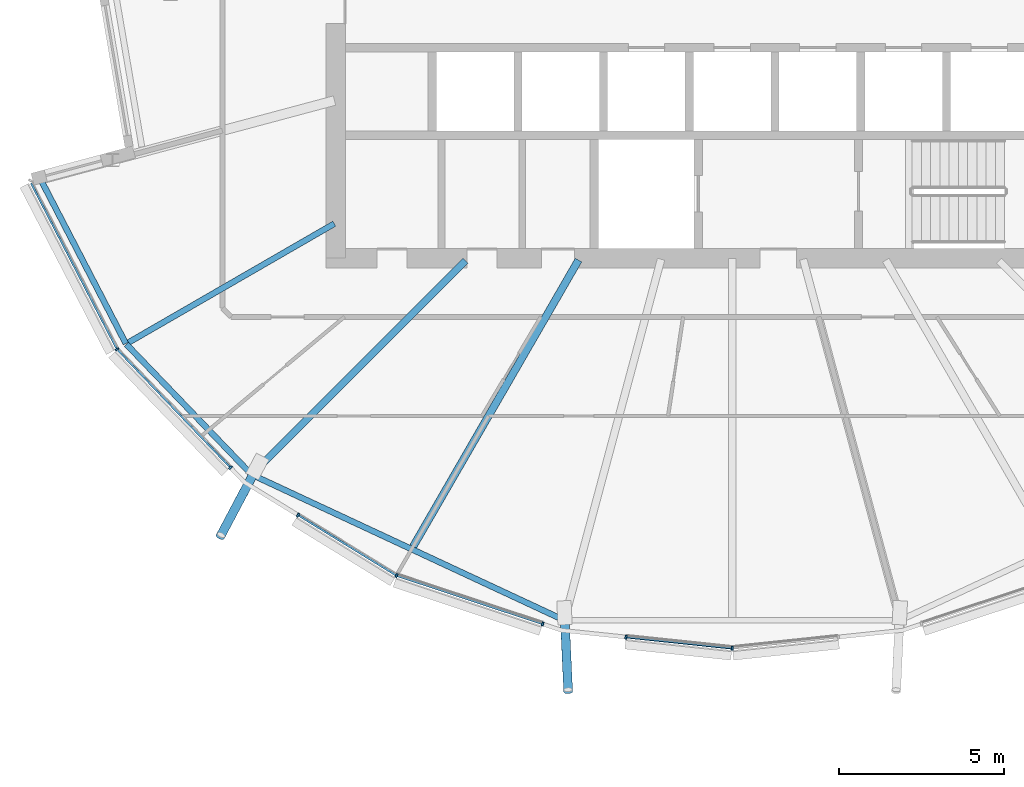
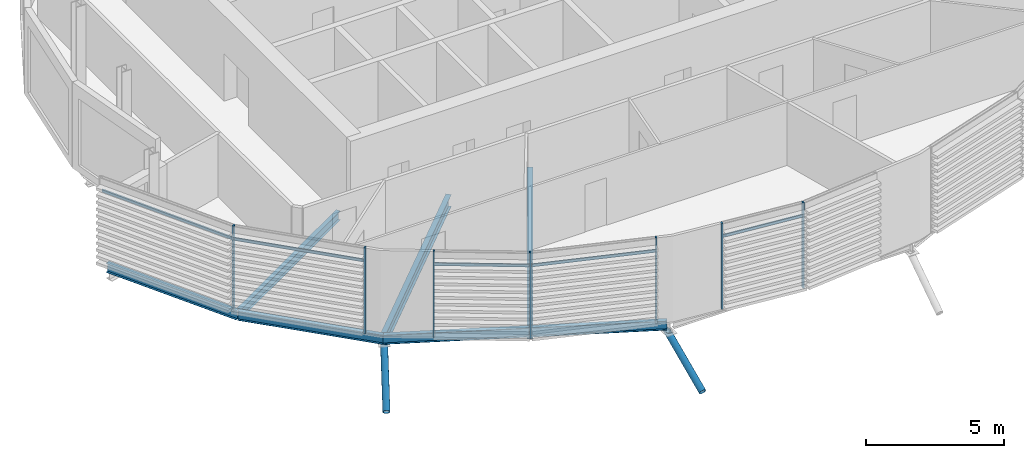
# One storey, part 3 of 36: 14 members, 6 beams, 1 element without a shape of its own.
"""IFC4 building model written with IfcOpenShell, lengths in metres."""

from ifc_helpers import new_model, si_unit, direction, frame, origin, origin_2d, place, context, subcontext, project, spatial, rectangle, hollow_circle, i_section, extrude, clip, halfspace, material, material_profile, profile_set, type_object, element, aggregate, save


model = new_model("IFC4")

# Units and contexts
model_context = context("Model", 3, precision=1e-05, world=origin(), true_north=direction((0.0, 1.0)))
body_context = subcontext(model_context, "Body", "Model", "MODEL_VIEW")
ifc_project = project(units=[si_unit("LENGTHUNIT", "METRE"), si_unit("AREAUNIT", "SQUARE_METRE"), si_unit("VOLUMEUNIT", "CUBIC_METRE"), si_unit("PLANEANGLEUNIT", "RADIAN"), si_unit("MASSUNIT", "GRAM", prefix="KILO")], contexts=[model_context])

# Site, building, storey
site_placement = place(None, origin())
site = spatial("IfcSite", under=ifc_project, at=site_placement, CompositionType="ELEMENT")
building_placement = place(site_placement, origin())
building = spatial("IfcBuilding", under=site, at=building_placement, Name="Rimbun Link Towers", CompositionType="ELEMENT")
storey_placement = place(building_placement, frame((0.0, 0.0, 174.10009765625)))
storey = spatial("IfcBuildingStorey", under=building, at=storey_placement, Name="L42", CompositionType="ELEMENT", Elevation=174.10009765625)

# Curtain wall, members
ifc_material_1 = material(Name="Aluminium 6063-T6 and low-iron glass", Category="aluminium")
curtain_wall_type = type_object("IfcCurtainWallType", Name="CW1-Z3 unitised vision wall (zone 3)", PredefinedType="NOTDEFINED", material=ifc_material_1)
curtain_wall_placement = place(storey_placement, origin())
curtain_wall = element("IfcCurtainWall", 1, at=curtain_wall_placement, inside=storey, type_object=curtain_wall_type, Name="CW1 L42 T1", PredefinedType="NOTDEFINED")
ifc_material_2 = material(Name="Aluminium 6063-T6", Category="aluminium")
ifc_material_profile_1 = material_profile(ifc_material_2, rectangle(XDim=0.1201171875, YDim=0.06005859375, at=origin_2d()), Name="MULLION 60X120")
ifc_profile_set_1 = profile_set([ifc_material_profile_1], Name="Aluminium 6063-T6")
member_type_1 = type_object("IfcMemberType", Name="CW1 mullion 60X120", PredefinedType="MULLION", material=ifc_profile_set_1)
member_1_placement = place(storey_placement, frame((-50.372314453125, -10.75830078125, 0.0), z_axis=(0.0, 0.0, 1.0), x_axis=(-0.813350034024, -0.581774631754, 0.0)))
member_1 = element("IfcMember", 2, at=member_1_placement, type_object=member_type_1, Name="CW1 mullion", PredefinedType="MULLION", context=body_context, shape_type="SweptSolid", body=[
    extrude(rectangle(XDim=0.1201171875, YDim=0.06005859375, at=origin_2d()), origin(), (0.0, 0.0, 1.0), 3.7998046875),
])
member_2_placement = place(storey_placement, frame((-46.93994140625, -14.339599609375, 0.0), z_axis=(0.0, 0.0, 1.0), x_axis=(-0.721853979368, -0.692045397695, 0.0)))
member_2 = element("IfcMember", 3, at=member_2_placement, type_object=member_type_1, Name="CW1 mullion", PredefinedType="MULLION", context=body_context, shape_type="SweptSolid", body=[
    extrude(rectangle(XDim=0.1201171875, YDim=0.06005859375, at=origin_2d()), origin(), (0.0, 0.0, 1.0), 3.7998046875),
])
member_3_placement = place(storey_placement, frame((-41.909912109375, -17.60791015625, 0.0), z_axis=(0.0, 0.0, 1.0), x_axis=(-0.421696857655, -0.906736874867, 0.0)))
member_3 = element("IfcMember", 4, at=member_3_placement, type_object=member_type_1, Name="CW1 mullion", PredefinedType="MULLION", context=body_context, shape_type="SweptSolid", body=[
    extrude(rectangle(XDim=0.1201171875, YDim=0.06005859375, at=origin_2d()), origin(), (0.0, 0.0, 1.0), 3.7998046875),
])
member_4_placement = place(storey_placement, frame((-44.8935546875, -15.776611328125, 0.0), z_axis=(0.0, 0.0, 1.0), x_axis=(-0.523231382934, -0.852190659368, 0.0)))
member_4 = element("IfcMember", 5, at=member_4_placement, type_object=member_type_1, Name="CW1 mullion", PredefinedType="MULLION", context=body_context, shape_type="SweptSolid", body=[
    extrude(rectangle(XDim=0.1201171875, YDim=0.06005859375, at=origin_2d()), origin(), (0.0, 0.0, 1.0), 3.7998046875),
])
member_5_placement = place(storey_placement, frame((-37.48486328125, -19.07470703125, 0.0), z_axis=(0.0, 0.0, 1.0), x_axis=(-0.314560279601, -0.949237499521, 0.0)))
member_5 = element("IfcMember", 6, at=member_5_placement, type_object=member_type_1, Name="CW1 mullion", PredefinedType="MULLION", context=body_context, shape_type="SweptSolid", body=[
    extrude(rectangle(XDim=0.1201171875, YDim=0.06005859375, at=origin_2d()), origin(), (0.0, 0.0, 1.0), 3.7998046875),
])
member_6_placement = place(storey_placement, frame((-31.75, -19.80859375, 0.0), z_axis=(0.0, 0.0, 1.0), x_axis=(0.0, -1.0, 0.0)))
member_6 = element("IfcMember", 7, at=member_6_placement, type_object=member_type_1, Name="CW1 mullion", PredefinedType="MULLION", context=body_context, shape_type="SweptSolid", body=[
    extrude(rectangle(XDim=0.1201171875, YDim=0.06005859375, at=origin_2d()), origin(), (0.0, 0.0, 1.0), 3.7998046875),
])
member_7_placement = place(storey_placement, frame((-34.96337890625, -19.470458984375, 0.0), z_axis=(0.0, 0.0, 1.0), x_axis=(-0.104737092036, -0.994499945476, 0.0)))
member_7 = element("IfcMember", 8, at=member_7_placement, type_object=member_type_1, Name="CW1 mullion", PredefinedType="MULLION", context=body_context, shape_type="SweptSolid", body=[
    extrude(rectangle(XDim=0.1201171875, YDim=0.06005859375, at=origin_2d()), origin(), (0.0, 0.0, 1.0), 3.7998046875),
])
ifc_material_3 = material(Name="Aluminium 6063-T6", Category="aluminium")
ifc_material_profile_2 = material_profile(ifc_material_3, rectangle(XDim=0.06005859375, YDim=0.1201171875, at=origin_2d()), Name="TRANSOM 60X120")
ifc_profile_set_2 = profile_set([ifc_material_profile_2], Name="Aluminium 6063-T6")
member_type_2 = type_object("IfcMemberType", Name="CW1 transom 60X120", PredefinedType="USERDEFINED", material=ifc_profile_set_2)
member_8_placement = place(storey_placement, frame((-50.388916015625, -10.723388671875, 3.199951171875), z_axis=(-0.459571750769, 0.888140645335, 0.0), x_axis=(-0.888140645335, -0.459571750769, 0.0)))
member_8 = element("IfcMember", 9, at=member_8_placement, type_object=member_type_2, Name="CW1 transom", ObjectType="TRANSOM", PredefinedType="USERDEFINED", context=body_context, shape_type="SweptSolid", body=[
    extrude(rectangle(XDim=0.06005859375, YDim=0.1201171875, at=origin_2d()), origin(), (0.0, 0.0, 1.0), 5.62255859375),
])
member_9_placement = place(storey_placement, frame((-46.959228515625, -14.316650390625, 3.199951171875), z_axis=(-0.692052764793, 0.721846916418, 0.0), x_axis=(-0.721846916418, -0.692052764793, 0.0)))
member_9 = element("IfcMember", 10, at=member_9_placement, type_object=member_type_2, Name="CW1 transom", ObjectType="TRANSOM", PredefinedType="USERDEFINED", context=body_context, shape_type="SweptSolid", body=[
    extrude(rectangle(XDim=0.06005859375, YDim=0.1201171875, at=origin_2d()), origin(), (0.0, 0.0, 1.0), 4.891845703125),
])
member_10_placement = place(storey_placement, frame((-41.9404296875, -17.58740234375, 3.199951171875), z_axis=(-0.852185129283, 0.523240389716, 0.0), x_axis=(-0.523240389716, -0.852185129283, 0.0)))
member_10 = element("IfcMember", 11, at=member_10_placement, type_object=member_type_2, Name="CW1 transom", ObjectType="TRANSOM", PredefinedType="USERDEFINED", context=body_context, shape_type="SweptSolid", body=[
    extrude(rectangle(XDim=0.06005859375, YDim=0.1201171875, at=origin_2d()), origin(), (0.0, 0.0, 1.0), 3.43408203125),
])
member_11_placement = place(storey_placement, frame((-37.5126953125, -19.0634765625, 3.199951171875), z_axis=(-0.949239729091, 0.314553551426, 0.0), x_axis=(-0.314553551426, -0.949239729091, 0.0)))
member_11 = element("IfcMember", 12, at=member_11_placement, type_object=member_type_2, Name="CW1 transom", ObjectType="TRANSOM", PredefinedType="USERDEFINED", context=body_context, shape_type="SweptSolid", body=[
    extrude(rectangle(XDim=0.06005859375, YDim=0.1201171875, at=origin_2d()), origin(), (0.0, 0.0, 1.0), 4.5947265625),
])
member_12_placement = place(storey_placement, frame((-31.785888671875, -19.80322265625, 3.199951171875), z_axis=(-0.994497841897, 0.104757064016, 0.0), x_axis=(-0.104757064016, -0.994497841897, 0.0)))
member_12 = element("IfcMember", 13, at=member_12_placement, type_object=member_type_2, Name="CW1 transom", ObjectType="TRANSOM", PredefinedType="USERDEFINED", context=body_context, shape_type="SweptSolid", body=[
    extrude(rectangle(XDim=0.06005859375, YDim=0.1201171875, at=origin_2d()), origin(), (0.0, 0.0, 1.0), 3.164794921875),
])
aggregate(curtain_wall, [member_1, member_2, member_3, member_4, member_5, member_6, member_7, member_8, member_9, member_10, member_11, member_12])

# Members
ifc_material_4 = material(Name="Steel S355J2H", Category="steel")
ifc_material_profile_3 = material_profile(ifc_material_4, hollow_circle(Radius=0.136474609375, WallThickness=0.012451171875, at=origin_2d()), Name="CHS 273x12.5")
ifc_profile_set_3 = profile_set([ifc_material_profile_3], Name="Steel S355J2H")
member_type_3 = type_object("IfcMemberType", Name="Floor edge link CHS 273x12.5", PredefinedType="BRACE", material=ifc_profile_set_3)
member_13_placement = place(storey_placement, frame((-46.20068359375, -14.45068359375, -0.800048828125), z_axis=(-0.402412284177, -0.759393945024, -0.511258437392), x_axis=(0.883604917581, -0.468233221405, 0.0)))
element("IfcMember", 14, at=member_13_placement, inside=storey, type_object=member_type_3, Name="Floor edge link T1 L42 15", PredefinedType="BRACE", context=body_context, shape_type="Clipping", body=[
    clip(extrude(hollow_circle(Radius=0.136474609375, WallThickness=0.012451171875, at=origin_2d()), frame((0.0, 0.0, -0.478515625)), (0.0, 0.0, 1.0), 3.0849609375), halfspace(frame((0.0, 0.0, -0.224609375), z_axis=(0.0, 0.859427024357, -0.511258437392)), False)),
])
member_14_placement = place(storey_placement, frame((-36.81787109375, -18.913818359375, -0.8720703125), z_axis=(0.040919470734, -0.875793032388, -0.480949229478), x_axis=(0.998910275526, 0.046671848569, 0.0)))
element("IfcMember", 15, at=member_14_placement, inside=storey, type_object=member_type_3, Name="Floor edge link T1 L42 17", PredefinedType="BRACE", context=body_context, shape_type="Clipping", body=[
    clip(extrude(hollow_circle(Radius=0.136474609375, WallThickness=0.012451171875, at=origin_2d()), frame((0.0, 0.0, -0.518310546875)), (0.0, 0.0, 1.0), 3.0361328125), halfspace(frame((0.0, 0.0, -0.244140625), z_axis=(0.0, 0.876748446628, -0.480949229478)), False)),
])

# Beams
ifc_material_5 = material(Name="Steel S355J2", Category="steel")
ifc_material_profile_4 = material_profile(ifc_material_5, i_section(OverallWidth=0.177978515625, OverallDepth=0.406494140625, WebThickness=0.0078125, FlangeThickness=0.0126953125, at=origin_2d()), Name="UB 406x178x60")
ifc_profile_set_4 = profile_set([ifc_material_profile_4], Name="Steel S355J2")
beam_type_1 = type_object("IfcBeamType", Name="UB 406x178x60", PredefinedType="BEAM", material=ifc_profile_set_4)
beam_1_placement = place(storey_placement, frame((-43.79541015625, -6.954345703125, -0.353271484375), z_axis=(-0.86602387423, -0.500002649256, 0.0), x_axis=(0.500002649256, -0.86602387423, 0.0)))
element("IfcBeam", 16, at=beam_1_placement, inside=storey, type_object=beam_type_1, Name="Radial beam T1 L42 14", PredefinedType="BEAM", context=body_context, shape_type="SweptSolid", body=[
    extrude(i_section(OverallWidth=0.177978515625, OverallDepth=0.406494140625, WebThickness=0.0078125, FlangeThickness=0.0126953125, at=origin_2d()), origin(), (0.0, 0.0, 1.0), 7.1904296875),
])
beam_2_placement = place(storey_placement, frame((-52.6875, -5.611083984375, -0.353271484375), z_axis=(0.460674637591, -0.887569083666, 0.0), x_axis=(0.887569083666, 0.460674637591, 0.0)))
element("IfcBeam", 17, at=beam_2_placement, inside=storey, type_object=beam_type_1, Name="Edge beam T1 L42 13", PredefinedType="BEAM", context=body_context, shape_type="SweptSolid", body=[
    extrude(i_section(OverallWidth=0.177978515625, OverallDepth=0.406494140625, WebThickness=0.0078125, FlangeThickness=0.0126953125, at=origin_2d()), origin(), (0.0, 0.0, 1.0), 5.60107421875),
])
beam_3_placement = place(storey_placement, frame((-50.091064453125, -10.604736328125, -0.353271484375), z_axis=(0.692954402741, -0.720981411495, 0.0), x_axis=(0.720981411495, 0.692954402741, 0.0)))
element("IfcBeam", 18, at=beam_3_placement, inside=storey, type_object=beam_type_1, Name="Edge beam T1 L42 14", PredefinedType="BEAM", context=body_context, shape_type="SweptSolid", body=[
    extrude(i_section(OverallWidth=0.177978515625, OverallDepth=0.406494140625, WebThickness=0.0078125, FlangeThickness=0.0126953125, at=origin_2d()), origin(), (0.0, 0.0, 1.0), 5.470458984375),
])
beam_4_placement = place(storey_placement, frame((-46.298583984375, -14.550048828125, -0.353271484375), z_axis=(0.906411873075, -0.422394976709, 0.0), x_axis=(0.422394976709, 0.906411873075, 0.0)))
element("IfcBeam", 19, at=beam_4_placement, inside=storey, type_object=beam_type_1, Name="Edge beam T1 L42 15-17", PredefinedType="BEAM", context=body_context, shape_type="SweptSolid", body=[
    extrude(i_section(OverallWidth=0.177978515625, OverallDepth=0.406494140625, WebThickness=0.0078125, FlangeThickness=0.0126953125, at=origin_2d()), origin(), (0.0, 0.0, 1.0), 10.32861328125),
])
ifc_material_6 = material(Name="Steel S355J2", Category="steel")
ifc_material_profile_5 = material_profile(ifc_material_6, i_section(OverallWidth=0.209228515625, OverallDepth=0.533203125, WebThickness=0.010009765625, FlangeThickness=0.015625, at=origin_2d()), Name="UB 533x210x92")
ifc_profile_set_5 = profile_set([ifc_material_profile_5], Name="Steel S355J2")
beam_type_2 = type_object("IfcBeamType", Name="UB 533x210x92", PredefinedType="BEAM", material=ifc_profile_set_5)
beam_5_placement = place(storey_placement, frame((-39.82470703125, -8.07470703125, -0.416748046875), z_axis=(-0.707106781187, -0.707106781187, 0.0), x_axis=(0.707106781187, -0.707106781187, 0.0)))
element("IfcBeam", 20, at=beam_5_placement, inside=storey, type_object=beam_type_2, Name="Radial beam T1 L42 15", PredefinedType="BEAM", context=body_context, shape_type="SweptSolid", body=[
    extrude(i_section(OverallWidth=0.209228515625, OverallDepth=0.533203125, WebThickness=0.010009765625, FlangeThickness=0.015625, at=origin_2d()), origin(), (0.0, 0.0, 1.0), 9.066650390625),
])
ifc_material_7 = material(Name="Steel S355J2", Category="steel")
ifc_material_profile_6 = material_profile(ifc_material_7, i_section(OverallWidth=0.2275390625, OverallDepth=0.6025390625, WebThickness=0.010498046875, FlangeThickness=0.014892578125, at=origin_2d()), Name="UB 610x229x101")
ifc_profile_set_6 = profile_set([ifc_material_profile_6], Name="Steel S355J2")
beam_type_3 = type_object("IfcBeamType", Name="UB 610x229x101", PredefinedType="BEAM", material=ifc_profile_set_6)
beam_6_placement = place(storey_placement, frame((-36.402099609375, -8.057861328125, -0.451416015625), z_axis=(-0.500001751638, -0.866024392473, 0.0), x_axis=(0.866024392473, -0.500001751638, 0.0)))
element("IfcBeam", 21, at=beam_6_placement, inside=storey, type_object=beam_type_3, Name="Radial beam T1 L42 16", PredefinedType="BEAM", context=body_context, shape_type="SweptSolid", body=[
    extrude(i_section(OverallWidth=0.2275390625, OverallDepth=0.6025390625, WebThickness=0.010498046875, FlangeThickness=0.014892578125, at=origin_2d()), origin(), (0.0, 0.0, 1.0), 10.01318359375),
])

save(model, "model.ifc")
